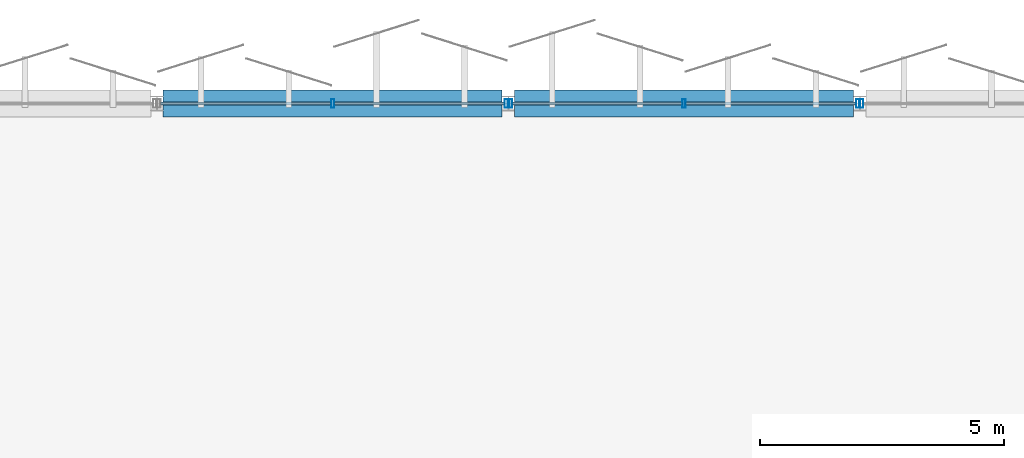
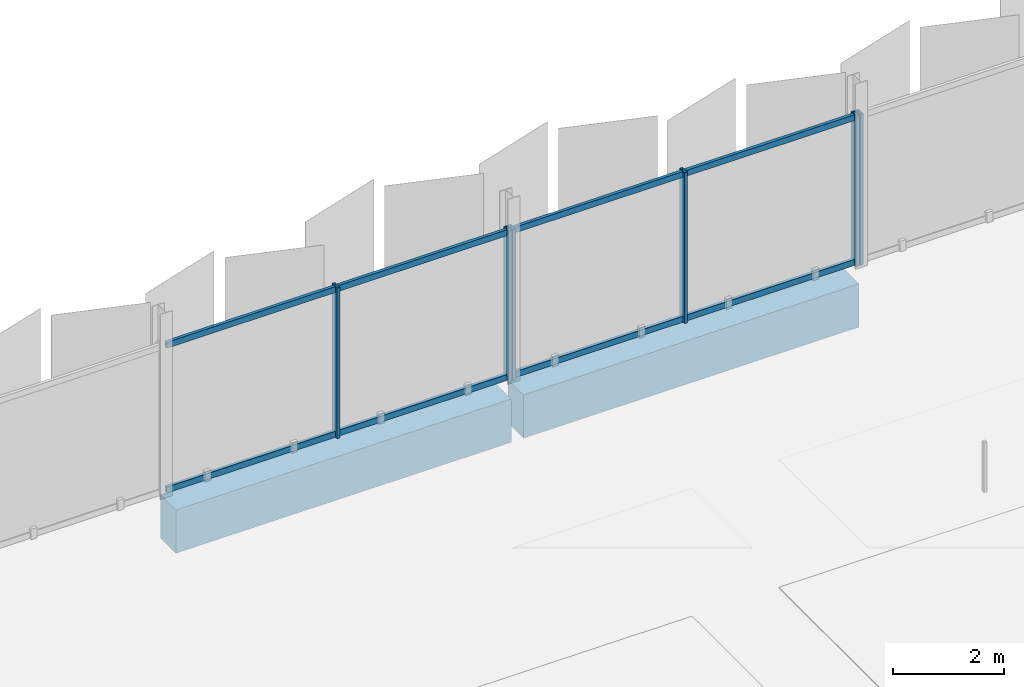
# One storey, part 27 of 77: 14 members, 2 beams, 3 elements without a shape of their own.
"""IFC4 building model written with IfcOpenShell, lengths in metres."""

from ifc_helpers import new_model, si_unit, direction, frame, origin, origin_2d, place, context, subcontext, project, spatial, rectangle, hollow_rectangle, extrude, material, layer, layer_set, material_profile, profile_set, type_object, element, aggregate, save


model = new_model("IFC4")

# Units and contexts
model_context = context("Model", 3, precision=1e-05, world=origin(), true_north=direction((0.0, 1.0)))
body_context = subcontext(model_context, "Body", "Model", "MODEL_VIEW")
ifc_project = project(units=[si_unit("LENGTHUNIT", "METRE"), si_unit("AREAUNIT", "SQUARE_METRE"), si_unit("VOLUMEUNIT", "CUBIC_METRE"), si_unit("PLANEANGLEUNIT", "RADIAN"), si_unit("MASSUNIT", "GRAM", prefix="KILO")], contexts=[model_context])

# Site, building, storey
site_placement = place(None, origin())
site = spatial("IfcSite", under=ifc_project, at=site_placement, CompositionType="ELEMENT")
building_placement = place(site_placement, origin())
building = spatial("IfcBuilding", under=site, at=building_placement, Name="Kangsadwip Square Police Headquarters", CompositionType="ELEMENT")
storey_placement = place(building_placement, frame((0.0, 0.0, 17.550048828125)))
storey = spatial("IfcBuildingStorey", under=building, at=storey_placement, Name="L04", CompositionType="ELEMENT", Elevation=17.550048828125)

# Curtain wall, members
ifc_material_1 = material(Name="Thermally broken anodised aluminium AW-6063-T6", Category="aluminium")
ifc_layer = layer(ifc_material_1, 0.159912109375)
ifc_layer_set = layer_set([ifc_layer], Name="Thermally broken anodised aluminium AW-6063-T6")
curtain_wall_type = type_object("IfcCurtainWallType", Name="UnitisedCw7180x3300", PredefinedType="NOTDEFINED", material=ifc_layer_set)
curtain_wall_1_placement = place(storey_placement, origin())
curtain_wall_1 = element("IfcCurtainWall", 1, at=curtain_wall_1_placement, inside=storey, type_object=curtain_wall_type, Name="Curtain Wall CW-L04-1080-1152", PredefinedType="NOTDEFINED")
ifc_material_2 = material(Name="Thermally broken anodised aluminium AW-6063-T6", Category="aluminium")
ifc_material_profile_1 = material_profile(ifc_material_2, hollow_rectangle(XDim=0.06494140625, YDim=0.179931640625, WallThickness=0.00390625, at=origin_2d()), Name="CWM 180X65X4")
ifc_profile_set_1 = profile_set([ifc_material_profile_1], Name="Thermally broken anodised aluminium AW-6063-T6")
member_type_1 = type_object("IfcMemberType", Name="CwMullion160x65", PredefinedType="MULLION", material=ifc_profile_set_1)
member_1_placement = place(storey_placement, frame((111.60009765625, 115.199951171875, 0.0), z_axis=(0.0, 0.0, 1.0), x_axis=(1.0, 0.0, 0.0)))
member_1 = element("IfcMember", 2, at=member_1_placement, type_object=member_type_1, Name="CW-43 mullion 2", PredefinedType="MULLION", context=body_context, shape_type="SweptSolid", body=[
    extrude(hollow_rectangle(XDim=0.06494140625, YDim=0.179931640625, WallThickness=0.00390625, at=origin_2d()), origin(), (0.0, 0.0, 1.0), 3.300048828125),
])
member_2_placement = place(storey_placement, frame((115.157470703125, 115.199951171875, 0.0), z_axis=(0.0, 0.0, 1.0), x_axis=(1.0, 0.0, 0.0)))
member_2 = element("IfcMember", 3, at=member_2_placement, type_object=member_type_1, Name="CW-43 mullion 3", PredefinedType="MULLION", context=body_context, shape_type="SweptSolid", body=[
    extrude(hollow_rectangle(XDim=0.06494140625, YDim=0.179931640625, WallThickness=0.00390625, at=origin_2d()), origin(), (0.0, 0.0, 1.0), 3.300048828125),
])

curtain_wall_2_placement = place(storey_placement, origin())
curtain_wall_2 = element("IfcCurtainWall", 4, at=curtain_wall_2_placement, inside=storey, type_object=curtain_wall_type, Name="Curtain Wall CW-L04-1152-1152", PredefinedType="NOTDEFINED")
member_3_placement = place(storey_placement, frame((115.242431640625, 115.199951171875, 0.0), z_axis=(0.0, 0.0, 1.0), x_axis=(1.0, 0.0, 0.0)))
member_3 = element("IfcMember", 5, at=member_3_placement, type_object=member_type_1, Name="CW-43 mullion 1", PredefinedType="MULLION", context=body_context, shape_type="SweptSolid", body=[
    extrude(hollow_rectangle(XDim=0.06494140625, YDim=0.179931640625, WallThickness=0.00390625, at=origin_2d()), origin(), (0.0, 0.0, 1.0), 3.300048828125),
])
member_4_placement = place(storey_placement, frame((118.800048828125, 115.199951171875, 0.0), z_axis=(0.0, 0.0, 1.0), x_axis=(1.0, 0.0, 0.0)))
member_4 = element("IfcMember", 6, at=member_4_placement, type_object=member_type_1, Name="CW-43 mullion 2", PredefinedType="MULLION", context=body_context, shape_type="SweptSolid", body=[
    extrude(hollow_rectangle(XDim=0.06494140625, YDim=0.179931640625, WallThickness=0.00390625, at=origin_2d()), origin(), (0.0, 0.0, 1.0), 3.300048828125),
])
member_5_placement = place(storey_placement, frame((122.357421875, 115.199951171875, 0.0), z_axis=(0.0, 0.0, 1.0), x_axis=(1.0, 0.0, 0.0)))
member_5 = element("IfcMember", 7, at=member_5_placement, type_object=member_type_1, Name="CW-43 mullion 3", PredefinedType="MULLION", context=body_context, shape_type="SweptSolid", body=[
    extrude(hollow_rectangle(XDim=0.06494140625, YDim=0.179931640625, WallThickness=0.00390625, at=origin_2d()), origin(), (0.0, 0.0, 1.0), 3.300048828125),
])

# Curtain wall, member
curtain_wall_3_placement = place(storey_placement, origin())
curtain_wall_3 = element("IfcCurtainWall", 8, at=curtain_wall_3_placement, inside=storey, type_object=curtain_wall_type, Name="Curtain Wall CW-L04-1224-1152", PredefinedType="NOTDEFINED")
member_6_placement = place(storey_placement, frame((122.4423828125, 115.199951171875, 0.0), z_axis=(0.0, 0.0, 1.0), x_axis=(1.0, 0.0, 0.0)))
member_6 = element("IfcMember", 9, at=member_6_placement, type_object=member_type_1, Name="CW-43 mullion 1", PredefinedType="MULLION", context=body_context, shape_type="SweptSolid", body=[
    extrude(hollow_rectangle(XDim=0.06494140625, YDim=0.179931640625, WallThickness=0.00390625, at=origin_2d()), origin(), (0.0, 0.0, 1.0), 3.300048828125),
])
aggregate(curtain_wall_3, [member_6])

# Member
ifc_material_3 = material(Name="Thermally broken anodised aluminium AW-6063-T6", Category="aluminium")
ifc_material_profile_2 = material_profile(ifc_material_3, hollow_rectangle(XDim=0.06494140625, YDim=0.1298828125, WallThickness=0.00390625, at=origin_2d()), Name="CWT 130X65X4")
ifc_profile_set_2 = profile_set([ifc_material_profile_2], Name="Thermally broken anodised aluminium AW-6063-T6")
member_type_2 = type_object("IfcMemberType", Name="CwTransom140x60", PredefinedType="USERDEFINED", material=ifc_profile_set_2)
member_7_placement = place(storey_placement, frame((108.074951171875, 115.199951171875, 0.06494140625), z_axis=(1.0, 0.0, 0.0), x_axis=(0.0, 1.0, 0.0)))
member_7 = element("IfcMember", 10, at=member_7_placement, type_object=member_type_2, Name="CW-43 transom 1.1", ObjectType="TRANSOM", PredefinedType="USERDEFINED", context=body_context, shape_type="SweptSolid", body=[
    extrude(hollow_rectangle(XDim=0.06494140625, YDim=0.1298828125, WallThickness=0.00390625, at=origin_2d()), origin(), (0.0, 0.0, 1.0), 3.492431640625),
])

member_8_placement = place(storey_placement, frame((108.074951171875, 115.199951171875, 3.23486328125), z_axis=(1.0, 0.0, 0.0), x_axis=(0.0, 1.0, 0.0)))
member_8 = element("IfcMember", 11, at=member_8_placement, type_object=member_type_2, Name="CW-43 transom 1.2", ObjectType="TRANSOM", PredefinedType="USERDEFINED", context=body_context, shape_type="SweptSolid", body=[
    extrude(hollow_rectangle(XDim=0.06494140625, YDim=0.1298828125, WallThickness=0.00390625, at=origin_2d()), origin(), (0.0, 0.0, 1.0), 3.492431640625),
])

member_9_placement = place(storey_placement, frame((111.632568359375, 115.199951171875, 0.06494140625), z_axis=(1.0, 0.0, 0.0), x_axis=(0.0, 1.0, 0.0)))
member_9 = element("IfcMember", 12, at=member_9_placement, type_object=member_type_2, Name="CW-43 transom 2.1", ObjectType="TRANSOM", PredefinedType="USERDEFINED", context=body_context, shape_type="SweptSolid", body=[
    extrude(hollow_rectangle(XDim=0.06494140625, YDim=0.1298828125, WallThickness=0.00390625, at=origin_2d()), origin(), (0.0, 0.0, 1.0), 3.492431640625),
])

member_10_placement = place(storey_placement, frame((111.632568359375, 115.199951171875, 3.23486328125), z_axis=(1.0, 0.0, 0.0), x_axis=(0.0, 1.0, 0.0)))
member_10 = element("IfcMember", 13, at=member_10_placement, type_object=member_type_2, Name="CW-43 transom 2.2", ObjectType="TRANSOM", PredefinedType="USERDEFINED", context=body_context, shape_type="SweptSolid", body=[
    extrude(hollow_rectangle(XDim=0.06494140625, YDim=0.1298828125, WallThickness=0.00390625, at=origin_2d()), origin(), (0.0, 0.0, 1.0), 3.492431640625),
])

aggregate(curtain_wall_1, [member_1, member_2, member_7, member_8, member_9, member_10])

member_11_placement = place(storey_placement, frame((115.27490234375, 115.199951171875, 0.06494140625), z_axis=(1.0, 0.0, 0.0), x_axis=(0.0, 1.0, 0.0)))
member_11 = element("IfcMember", 14, at=member_11_placement, type_object=member_type_2, Name="CW-43 transom 1.1", ObjectType="TRANSOM", PredefinedType="USERDEFINED", context=body_context, shape_type="SweptSolid", body=[
    extrude(hollow_rectangle(XDim=0.06494140625, YDim=0.1298828125, WallThickness=0.00390625, at=origin_2d()), origin(), (0.0, 0.0, 1.0), 3.49267578125),
])

member_12_placement = place(storey_placement, frame((115.27490234375, 115.199951171875, 3.23486328125), z_axis=(1.0, 0.0, 0.0), x_axis=(0.0, 1.0, 0.0)))
member_12 = element("IfcMember", 15, at=member_12_placement, type_object=member_type_2, Name="CW-43 transom 1.2", ObjectType="TRANSOM", PredefinedType="USERDEFINED", context=body_context, shape_type="SweptSolid", body=[
    extrude(hollow_rectangle(XDim=0.06494140625, YDim=0.1298828125, WallThickness=0.00390625, at=origin_2d()), origin(), (0.0, 0.0, 1.0), 3.49267578125),
])

member_13_placement = place(storey_placement, frame((118.83251953125, 115.199951171875, 0.06494140625), z_axis=(1.0, 0.0, 0.0), x_axis=(0.0, 1.0, 0.0)))
member_13 = element("IfcMember", 16, at=member_13_placement, type_object=member_type_2, Name="CW-43 transom 2.1", ObjectType="TRANSOM", PredefinedType="USERDEFINED", context=body_context, shape_type="SweptSolid", body=[
    extrude(hollow_rectangle(XDim=0.06494140625, YDim=0.1298828125, WallThickness=0.00390625, at=origin_2d()), origin(), (0.0, 0.0, 1.0), 3.492431640625),
])

member_14_placement = place(storey_placement, frame((118.83251953125, 115.199951171875, 3.23486328125), z_axis=(1.0, 0.0, 0.0), x_axis=(0.0, 1.0, 0.0)))
member_14 = element("IfcMember", 17, at=member_14_placement, type_object=member_type_2, Name="CW-43 transom 2.2", ObjectType="TRANSOM", PredefinedType="USERDEFINED", context=body_context, shape_type="SweptSolid", body=[
    extrude(hollow_rectangle(XDim=0.06494140625, YDim=0.1298828125, WallThickness=0.00390625, at=origin_2d()), origin(), (0.0, 0.0, 1.0), 3.492431640625),
])

aggregate(curtain_wall_2, [member_3, member_4, member_5, member_11, member_12, member_13, member_14])

# Beams
ifc_material_4 = material(Name="Concrete M40 (40 MPa)", Category="concrete")
ifc_material_profile_3 = material_profile(ifc_material_4, rectangle(XDim=0.550048828125, YDim=0.949951171875, at=origin_2d()), Name="RC TG 950X550")
ifc_profile_set_3 = profile_set([ifc_material_profile_3], Name="Concrete M40 (40 MPa)")
beam_type = type_object("IfcBeamType", Name="RcTransfer950x550", PredefinedType="USERDEFINED", material=ifc_profile_set_3)
for number, where, z_axis, x_axis, name in (
    (18, (108.125, 115.199951171875, -0.715087890625), (1.0, 0.0, 0.0), (0.0, 1.0, 0.0), "Beam BM-L04-X-15-16"),
    (19, (115.324951171875, 115.199951171875, -0.715087890625), (1.0, 0.0, 0.0), (0.0, 1.0, 0.0), "Beam BM-L04-X-16-16"),
):
    element("IfcBeam", number, at=place(storey_placement, frame(where, z_axis=z_axis, x_axis=x_axis)), inside=storey, type_object=beam_type, Name=name, ObjectType="TRANSFER_GIRDER", PredefinedType="USERDEFINED", context=body_context, shape_type="SweptSolid", body=[
        extrude(rectangle(XDim=0.550048828125, YDim=0.949951171875, at=origin_2d()), origin(), (0.0, 0.0, 1.0), 6.949951171875),
    ])

save(model, "model.ifc")
